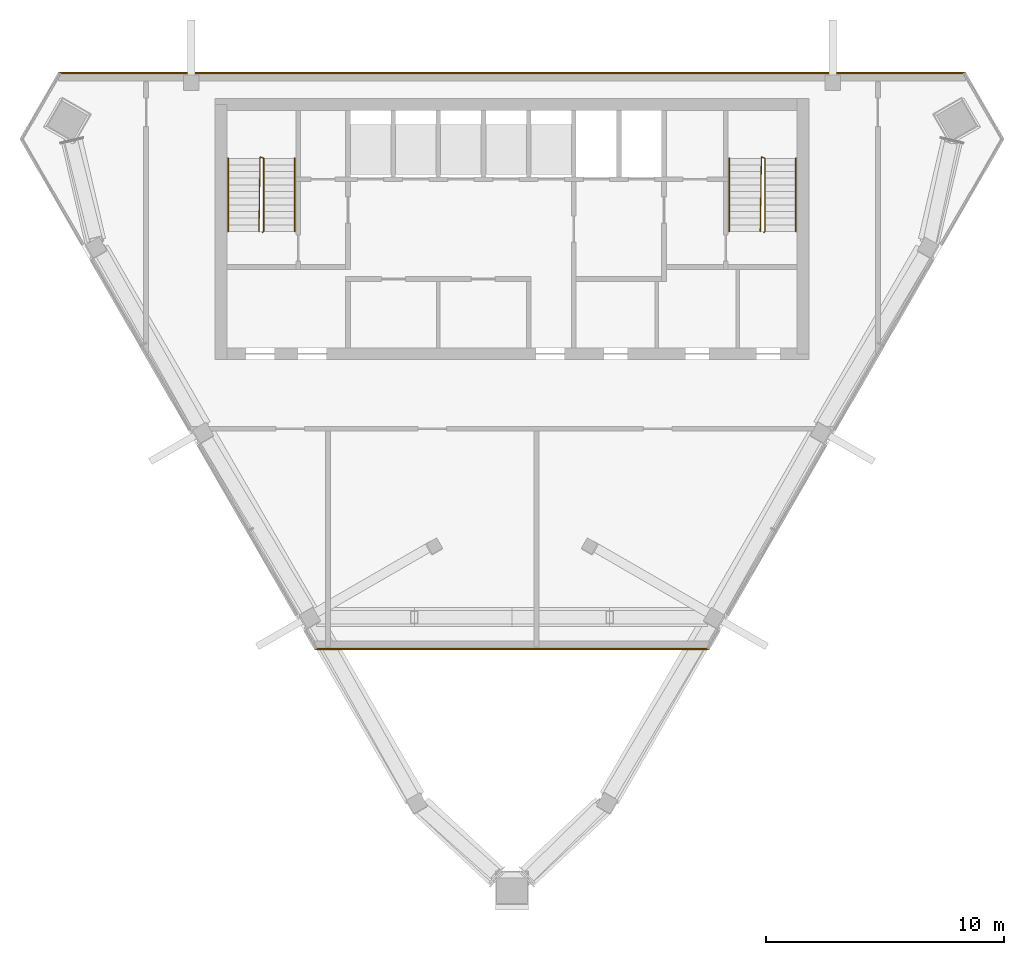
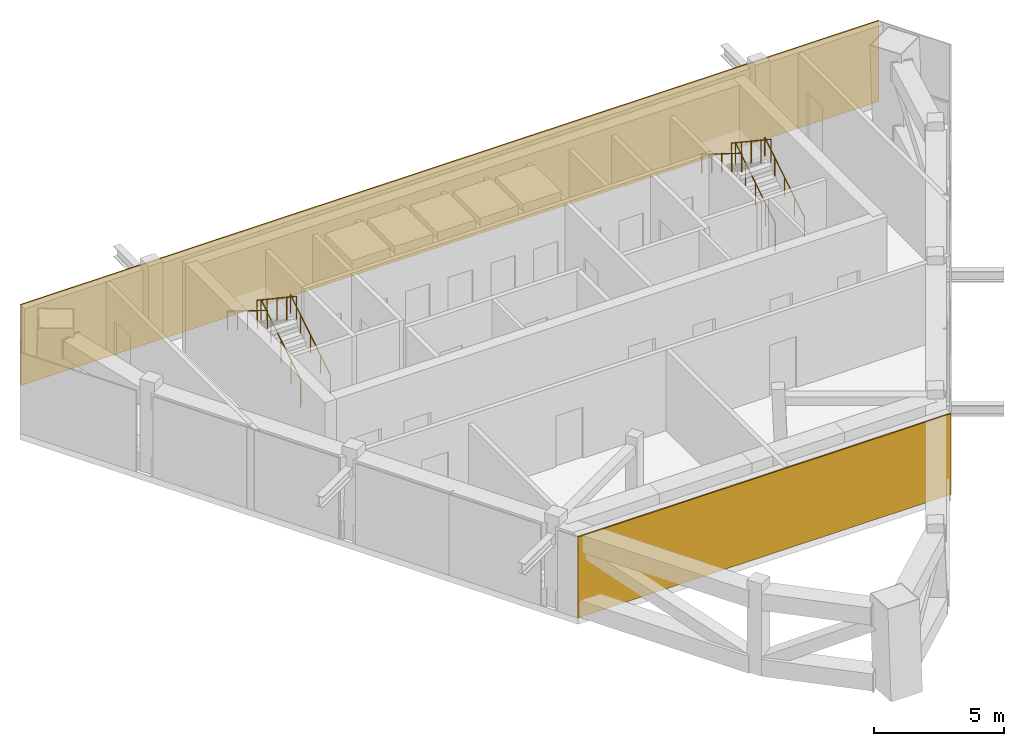
# One storey, part 8 of 9: 6 railings, 2 coverings.
"""IFC4 building model written with IfcOpenShell, lengths in metres."""

from ifc_helpers import new_model, si_unit, direction, frame, frame_2d, origin, origin_2d, place, context, subcontext, project, spatial, rectangle, circle, extrude, material, layer, layer_set, type_object, element, save


model = new_model("IFC4")

# Units and contexts
model_context = context("Model", 3, precision=1e-05, world=origin(), true_north=direction((0.0, 1.0)))
body_context = subcontext(model_context, "Body", "Model", "MODEL_VIEW")
ifc_project = project(units=[si_unit("LENGTHUNIT", "METRE"), si_unit("AREAUNIT", "SQUARE_METRE"), si_unit("VOLUMEUNIT", "CUBIC_METRE"), si_unit("PLANEANGLEUNIT", "RADIAN"), si_unit("MASSUNIT", "GRAM", prefix="KILO")], contexts=[model_context])

# Site, building, storey
site_placement = place(None, origin())
site = spatial("IfcSite", under=ifc_project, at=site_placement, CompositionType="ELEMENT")
building_placement = place(site_placement, origin())
building = spatial("IfcBuilding", under=site, at=building_placement, Name="Altiplano Prism Tower", CompositionType="ELEMENT")
storey_placement = place(building_placement, frame((0.0, 0.0, 343.0)))
storey = spatial("IfcBuildingStorey", under=building, at=storey_placement, Name="L89", CompositionType="ELEMENT", Elevation=343.0)

# Railings
ifc_material_1 = material(Name="Steel S355", Category="steel")
railing_type_1 = type_object("IfcRailingType", Name="Stair guard 1100", PredefinedType="GUARDRAIL", material=ifc_material_1)
railing_1_placement = place(storey_placement, frame((74.5, 98.25, 0.0)))
element("IfcRailing", 1, at=railing_1_placement, inside=storey, type_object=railing_type_1, Name="L89 ST1 stair guard 1", PredefinedType="GUARDRAIL", context=body_context, shape_type="SweptSolid", body=[
    extrude(circle(Radius=0.02392578125, at=origin_2d()), frame((0.0, 0.0, 1.076171875), z_axis=(0.265065253269, 0.265065253269, 0.927081885822), x_axis=(-0.707106781187, 0.707106781187, 0.0)), (0.0, 0.0, 1.0), 0.188720703125),
    extrude(circle(Radius=0.02392578125, at=origin_2d()), frame((0.050048828125, 0.050048828125, 1.2509765625), z_axis=(0.0, 0.847979421464, 0.530029150871), x_axis=(-1.0, 0.0, 0.0)), (0.0, 0.0, 1.0), 3.632080078125),
    extrude(circle(Radius=0.02392578125, at=origin_2d()), frame((0.050048828125, 3.1298828125, 3.17626953125), z_axis=(-0.948683298051, 0.316227766017, 0.0), x_axis=(-0.316227766017, -0.948683298051, 0.0)), (0.0, 0.0, 1.0), 0.158203125),
    extrude(circle(Radius=0.02392578125, at=origin_2d()), frame((-0.10009765625, 3.179931640625, 3.17626953125), z_axis=(-0.013213055541, -0.83034986291, 0.557085738759), x_axis=(0.999873418038, -0.015910622253, 0.0)), (0.0, 0.0, 1.0), 3.769287109375),
    extrude(circle(Radius=0.02099609375, at=origin_2d()), origin(), (0.0, 0.0, 1.0), 1.052001953125),
    extrude(circle(Radius=0.02099609375, at=origin_2d()), frame((0.050048828125, 0.050048828125, 0.175048828125)), (0.0, 0.0, 1.0), 1.052001953125),
    extrude(circle(Radius=0.02099609375, at=origin_2d()), frame((0.050048828125, 0.820068359375, 0.65625)), (0.0, 0.0, 1.0), 1.052001953125),
    extrude(circle(Radius=0.02099609375, at=origin_2d()), frame((0.050048828125, 1.58984375, 1.1376953125)), (0.0, 0.0, 1.0), 1.052001953125),
    extrude(circle(Radius=0.02099609375, at=origin_2d()), frame((0.050048828125, 2.35986328125, 1.618896484375)), (0.0, 0.0, 1.0), 1.052001953125),
    extrude(circle(Radius=0.02099609375, at=origin_2d()), frame((0.050048828125, 3.1298828125, 2.10009765625)), (0.0, 0.0, 1.0), 1.052001953125),
    extrude(circle(Radius=0.02099609375, at=origin_2d()), frame((-0.10009765625, 3.179931640625, 2.10009765625)), (0.0, 0.0, 1.0), 1.052001953125),
    extrude(circle(Radius=0.02099609375, at=origin_2d()), frame((-0.112548828125, 2.3974609375, 2.625)), (0.0, 0.0, 1.0), 1.052001953125),
    extrude(circle(Radius=0.02099609375, at=origin_2d()), frame((-0.125, 1.614990234375, 3.14990234375)), (0.0, 0.0, 1.0), 1.052001953125),
    extrude(circle(Radius=0.02099609375, at=origin_2d()), frame((-0.137451171875, 0.83251953125, 3.675048828125)), (0.0, 0.0, 1.0), 1.052001953125),
    extrude(circle(Radius=0.02099609375, at=origin_2d()), frame((-0.14990234375, 0.050048828125, 4.199951171875)), (0.0, 0.0, 1.0), 1.052001953125),
])
railing_2_placement = place(storey_placement, frame((95.60009765625, 98.25, 0.0)))
element("IfcRailing", 2, at=railing_2_placement, inside=storey, type_object=railing_type_1, Name="L89 ST2 stair guard 1", PredefinedType="GUARDRAIL", context=body_context, shape_type="SweptSolid", body=[
    extrude(circle(Radius=0.02392578125, at=origin_2d()), frame((0.0, 0.0, 1.076171875), z_axis=(0.263862480399, 0.265155923931, 0.927399011991), x_axis=(-0.708833529934, 0.705375805398, 0.0)), (0.0, 0.0, 1.0), 0.188720703125),
    extrude(circle(Radius=0.02392578125, at=origin_2d()), frame((0.0498046875, 0.050048828125, 1.2509765625), z_axis=(0.0, 0.847979421464, 0.530029150871), x_axis=(-1.0, 0.0, 0.0)), (0.0, 0.0, 1.0), 3.632080078125),
    extrude(circle(Radius=0.02392578125, at=origin_2d()), frame((0.0498046875, 3.1298828125, 3.17626953125), z_axis=(-0.948528701346, 0.316691178788, 0.0), x_axis=(-0.316691178788, -0.948528701346, 0.0)), (0.0, 0.0, 1.0), 0.157958984375),
    extrude(circle(Radius=0.02392578125, at=origin_2d()), frame((-0.10009765625, 3.179931640625, 3.17626953125), z_axis=(-0.01327781403, -0.830349150549, 0.557085260833), x_axis=(0.999872174235, -0.01598859561, 0.0)), (0.0, 0.0, 1.0), 3.769287109375),
    extrude(circle(Radius=0.02099609375, at=origin_2d()), origin(), (0.0, 0.0, 1.0), 1.052001953125),
    extrude(circle(Radius=0.02099609375, at=origin_2d()), frame((0.0498046875, 0.050048828125, 0.175048828125)), (0.0, 0.0, 1.0), 1.052001953125),
    extrude(circle(Radius=0.02099609375, at=origin_2d()), frame((0.0498046875, 0.820068359375, 0.65625)), (0.0, 0.0, 1.0), 1.052001953125),
    extrude(circle(Radius=0.02099609375, at=origin_2d()), frame((0.0498046875, 1.58984375, 1.1376953125)), (0.0, 0.0, 1.0), 1.052001953125),
    extrude(circle(Radius=0.02099609375, at=origin_2d()), frame((0.0498046875, 2.35986328125, 1.618896484375)), (0.0, 0.0, 1.0), 1.052001953125),
    extrude(circle(Radius=0.02099609375, at=origin_2d()), frame((0.0498046875, 3.1298828125, 2.10009765625)), (0.0, 0.0, 1.0), 1.052001953125),
    extrude(circle(Radius=0.02099609375, at=origin_2d()), frame((-0.10009765625, 3.179931640625, 2.10009765625)), (0.0, 0.0, 1.0), 1.052001953125),
    extrude(circle(Radius=0.02099609375, at=origin_2d()), frame((-0.112548828125, 2.3974609375, 2.625)), (0.0, 0.0, 1.0), 1.052001953125),
    extrude(circle(Radius=0.02099609375, at=origin_2d()), frame((-0.125, 1.614990234375, 3.14990234375)), (0.0, 0.0, 1.0), 1.052001953125),
    extrude(circle(Radius=0.02099609375, at=origin_2d()), frame((-0.1376953125, 0.83251953125, 3.675048828125)), (0.0, 0.0, 1.0), 1.052001953125),
    extrude(circle(Radius=0.02099609375, at=origin_2d()), frame((-0.150146484375, 0.050048828125, 4.199951171875)), (0.0, 0.0, 1.0), 1.052001953125),
])
railing_type_2 = type_object("IfcRailingType", Name="Stair handrail 900", PredefinedType="HANDRAIL", material=ifc_material_1)
railing_3_placement = place(storey_placement, frame((75.85009765625, 98.300048828125, 0.175048828125)))
element("IfcRailing", 3, at=railing_3_placement, inside=storey, type_object=railing_type_2, Name="L89 ST1 stair handrail 1", PredefinedType="HANDRAIL", context=body_context, shape_type="SweptSolid", body=[
    extrude(circle(Radius=0.02392578125, at=origin_2d()), frame((0.0, 0.0, 0.8759765625), z_axis=(0.0, 0.847979421464, 0.530029150871), x_axis=(-1.0, 0.0, 0.0)), (0.0, 0.0, 1.0), 3.632080078125),
    extrude(circle(Radius=0.02099609375, at=origin_2d()), origin(), (0.0, 0.0, 1.0), 0.851806640625),
    extrude(circle(Radius=0.02099609375, at=origin_2d()), frame((0.0, 0.77001953125, 0.481201171875)), (0.0, 0.0, 1.0), 0.851806640625),
    extrude(circle(Radius=0.02099609375, at=origin_2d()), frame((0.0, 1.5400390625, 0.96240234375)), (0.0, 0.0, 1.0), 0.851806640625),
    extrude(circle(Radius=0.02099609375, at=origin_2d()), frame((0.0, 2.309814453125, 1.44384765625)), (0.0, 0.0, 1.0), 0.851806640625),
    extrude(circle(Radius=0.02099609375, at=origin_2d()), frame((0.0, 3.079833984375, 1.925048828125)), (0.0, 0.0, 1.0), 0.851806640625),
])
railing_4_placement = place(storey_placement, frame((73.050048828125, 101.3798828125, 2.27490234375)))
element("IfcRailing", 4, at=railing_4_placement, inside=storey, type_object=railing_type_2, Name="L89 ST1 stair handrail 2", PredefinedType="HANDRAIL", context=body_context, shape_type="SweptSolid", body=[
    extrude(circle(Radius=0.02392578125, at=origin_2d()), frame((0.0, 0.0, 0.8759765625), z_axis=(0.0, -0.847979421464, 0.530029150871), x_axis=(1.0, 0.0, 0.0)), (0.0, 0.0, 1.0), 3.632080078125),
    extrude(circle(Radius=0.02099609375, at=origin_2d()), origin(), (0.0, 0.0, 1.0), 0.851806640625),
    extrude(circle(Radius=0.02099609375, at=origin_2d()), frame((0.0, -0.77001953125, 0.481201171875)), (0.0, 0.0, 1.0), 0.851806640625),
    extrude(circle(Radius=0.02099609375, at=origin_2d()), frame((0.0, -1.5400390625, 0.96240234375)), (0.0, 0.0, 1.0), 0.851806640625),
    extrude(circle(Radius=0.02099609375, at=origin_2d()), frame((0.0, -2.309814453125, 1.44384765625)), (0.0, 0.0, 1.0), 0.851806640625),
    extrude(circle(Radius=0.02099609375, at=origin_2d()), frame((0.0, -3.079833984375, 1.925048828125)), (0.0, 0.0, 1.0), 0.851806640625),
])
railing_5_placement = place(storey_placement, frame((96.949951171875, 98.300048828125, 0.175048828125)))
element("IfcRailing", 5, at=railing_5_placement, inside=storey, type_object=railing_type_2, Name="L89 ST2 stair handrail 1", PredefinedType="HANDRAIL", context=body_context, shape_type="SweptSolid", body=[
    extrude(circle(Radius=0.02392578125, at=origin_2d()), frame((0.0, 0.0, 0.8759765625), z_axis=(0.0, 0.847979421464, 0.530029150871), x_axis=(-1.0, 0.0, 0.0)), (0.0, 0.0, 1.0), 3.632080078125),
    extrude(circle(Radius=0.02099609375, at=origin_2d()), origin(), (0.0, 0.0, 1.0), 0.851806640625),
    extrude(circle(Radius=0.02099609375, at=origin_2d()), frame((0.0, 0.77001953125, 0.481201171875)), (0.0, 0.0, 1.0), 0.851806640625),
    extrude(circle(Radius=0.02099609375, at=origin_2d()), frame((0.0, 1.5400390625, 0.96240234375)), (0.0, 0.0, 1.0), 0.851806640625),
    extrude(circle(Radius=0.02099609375, at=origin_2d()), frame((0.0, 2.309814453125, 1.44384765625)), (0.0, 0.0, 1.0), 0.851806640625),
    extrude(circle(Radius=0.02099609375, at=origin_2d()), frame((0.0, 3.079833984375, 1.925048828125)), (0.0, 0.0, 1.0), 0.851806640625),
])
railing_6_placement = place(storey_placement, frame((94.14990234375, 101.3798828125, 2.27490234375)))
element("IfcRailing", 6, at=railing_6_placement, inside=storey, type_object=railing_type_2, Name="L89 ST2 stair handrail 2", PredefinedType="HANDRAIL", context=body_context, shape_type="SweptSolid", body=[
    extrude(circle(Radius=0.02392578125, at=origin_2d()), frame((0.0, 0.0, 0.8759765625), z_axis=(0.0, -0.847979421464, 0.530029150871), x_axis=(1.0, 0.0, 0.0)), (0.0, 0.0, 1.0), 3.632080078125),
    extrude(circle(Radius=0.02099609375, at=origin_2d()), origin(), (0.0, 0.0, 1.0), 0.851806640625),
    extrude(circle(Radius=0.02099609375, at=origin_2d()), frame((0.0, -0.77001953125, 0.481201171875)), (0.0, 0.0, 1.0), 0.851806640625),
    extrude(circle(Radius=0.02099609375, at=origin_2d()), frame((0.0, -1.5400390625, 0.96240234375)), (0.0, 0.0, 1.0), 0.851806640625),
    extrude(circle(Radius=0.02099609375, at=origin_2d()), frame((0.0, -2.309814453125, 1.44384765625)), (0.0, 0.0, 1.0), 0.851806640625),
    extrude(circle(Radius=0.02099609375, at=origin_2d()), frame((0.0, -3.079833984375, 1.925048828125)), (0.0, 0.0, 1.0), 0.851806640625),
])

# Coverings
ifc_material_2 = material(Name="Warm limestone cast stone", Category="masonry")
ifc_layer = layer(ifc_material_2, 0.06005859375)
ifc_layer_set = layer_set([ifc_layer], Name="Warm limestone cast stone")
covering_type = type_object("IfcCoveringType", Name="Stone cladding 60", PredefinedType="CLADDING", material=ifc_layer_set)
covering_1_placement = place(storey_placement, frame((65.913330078125, 104.969970703125, 0.0), z_axis=(0.0, 0.0, 1.0), x_axis=(1.0, 0.0, 0.0)))
element("IfcCovering", 7, at=covering_1_placement, inside=storey, type_object=covering_type, Name="Stone cladding north face L89", PredefinedType="CLADDING", context=body_context, shape_type="SweptSolid", body=[
    extrude(rectangle(XDim=38.17333984375, YDim=0.06005859375, at=frame_2d((19.086669921875, 0.0))), origin(), (0.0, 0.0, 1.0), 3.800048828125),
])
covering_2_placement = place(storey_placement, frame((93.30078125, 80.72998046875, 0.0), z_axis=(0.0, 0.0, 1.0), x_axis=(-1.0, 0.0, 0.0)))
element("IfcCovering", 8, at=covering_2_placement, inside=storey, type_object=covering_type, Name="Stone cladding portal cut L89", PredefinedType="CLADDING", context=body_context, shape_type="SweptSolid", body=[
    extrude(rectangle(XDim=16.6015625, YDim=0.06005859375, at=frame_2d((8.30078125, 0.0))), origin(), (0.0, 0.0, 1.0), 3.800048828125),
])

save(model, "model.ifc")
